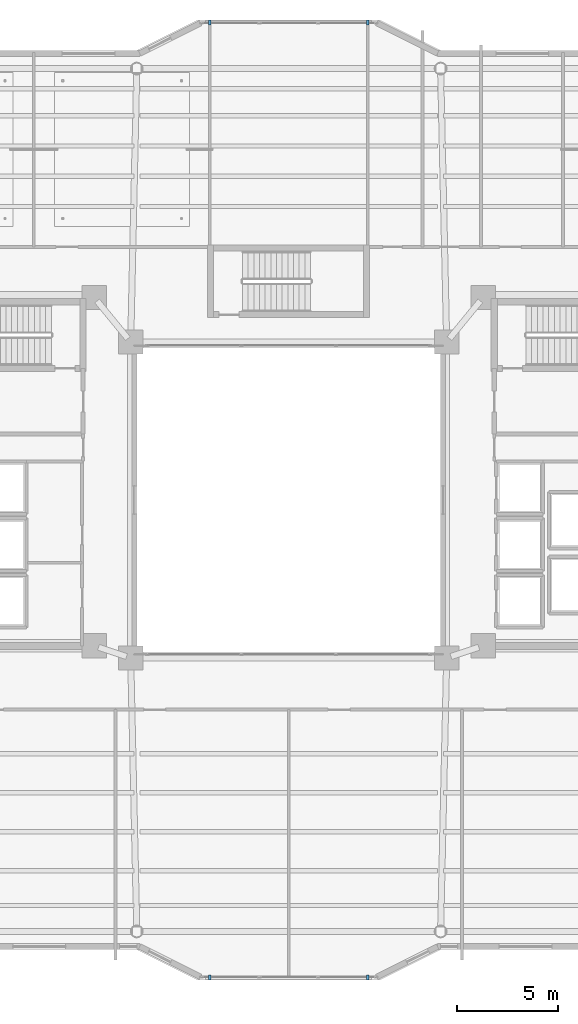
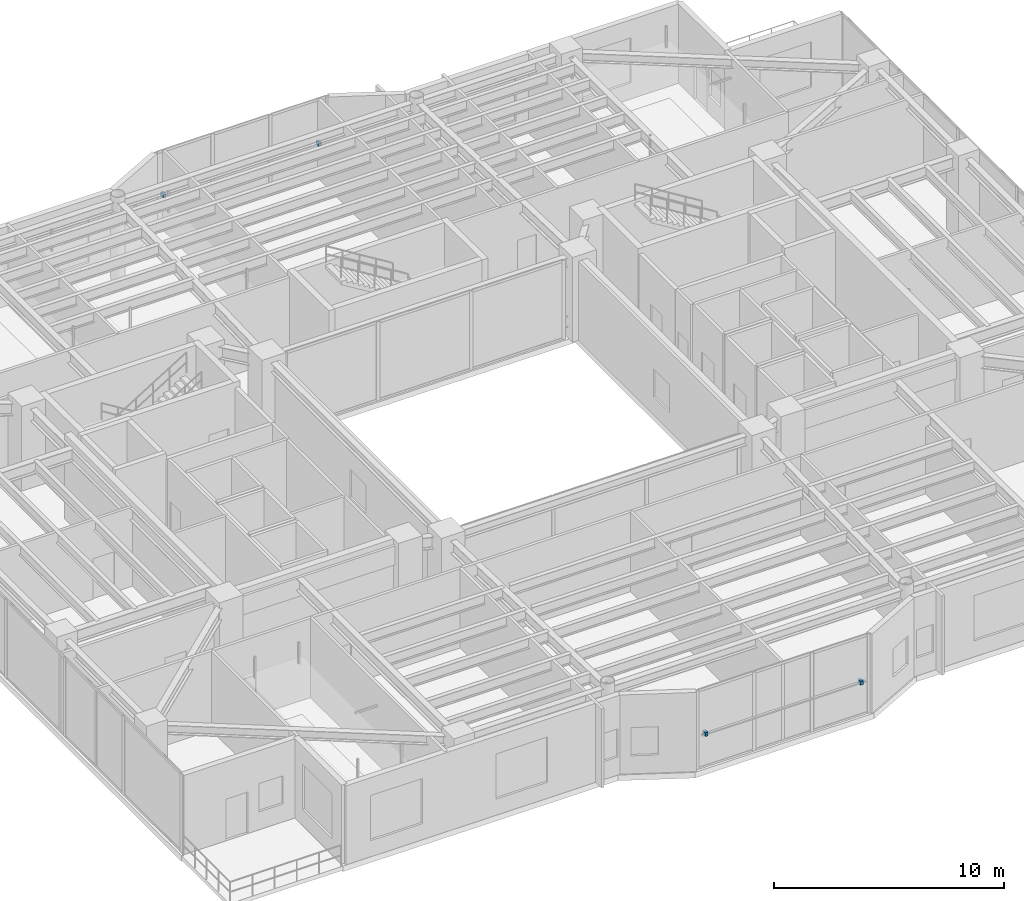
# One storey, part 34 of 38: 4 discrete accessories.
"""IFC4 building model written with IfcOpenShell, lengths in metres."""

import ifcopenshell
import ifcopenshell.guid

model = None  # the IFC model being written
_history = None  # IfcOwnerHistory: only IFC2X3 demands one
_inside = {}  # id of a spatial element -> (the spatial element, [elements in it])
_under = {}  # id of a project, library or spatial element -> (it, [spatial elements below it])
_declared = {}  # id of a project -> (the project, [libraries it declares])
_typed = {}  # id of a type object -> (the type object, [elements of that type])
_made_of = {}  # id of a material, layer set ... -> (it, [elements and type objects made of it])


def new_model(schema):
    """Start an empty IFC model of exactly this schema.

    Asked for "IFC4X3", IfcOpenShell would pick the latest addendum, in which some entities
    have other attributes; the version numbers below select the first issue.
    IFC2X3 requires an IfcOwnerHistory on every rooted entity: one is made here for all.
    """
    global model, _history
    if schema == "IFC4X3":
        model = ifcopenshell.file(schema_version=(4, 3, 0, 0))
    else:
        model = ifcopenshell.file(schema=schema)
    _inside.clear()
    _under.clear()
    _declared.clear()
    _typed.clear()
    _made_of.clear()
    _history = None
    if model.schema == "IFC2X3":
        org = make("IfcOrganization", Name="unknown")
        user = make(
            "IfcPersonAndOrganization",
            ThePerson=make("IfcPerson", FamilyName="unknown"),
            TheOrganization=org,
        )
        app = make(
            "IfcApplication",
            ApplicationDeveloper=org,
            Version="unknown",
            ApplicationFullName="unknown",
            ApplicationIdentifier="unknown",
        )
        _history = make(
            "IfcOwnerHistory",
            OwningUser=user,
            OwningApplication=app,
            ChangeAction="ADDED",
            CreationDate=0,
        )
    return model


def make(cls, **values):
    """One entity of the class cls with the attributes given. An attribute that is None is left unset."""
    return model.create_entity(
        cls, **{name: value for name, value in values.items() if value is not None}
    )


def rooted(cls, **values):
    """An entity with a GlobalId (a new one), such as an element, a storey or a relation."""
    return make(cls, GlobalId=ifcopenshell.guid.new(), OwnerHistory=_history, **values)


def si_unit(unit_type, name, prefix=None):
    """IfcSIUnit, for example si_unit("LENGTHUNIT", "METRE", prefix="MILLI")."""
    return make("IfcSIUnit", UnitType=unit_type, Prefix=prefix, Name=name)


def assignment(units):
    """IfcUnitAssignment: the units of a project."""
    return None if units is None else make("IfcUnitAssignment", Units=units)


def point(xyz):
    """IfcCartesianPoint."""
    return None if xyz is None else make("IfcCartesianPoint", Coordinates=xyz)


def direction(xyz):
    """IfcDirection."""
    return None if xyz is None else make("IfcDirection", DirectionRatios=xyz)


def frame(location, z_axis=None, x_axis=None):
    """IfcAxis2Placement3D, a coordinate frame: its origin and axes. An axis left out is left unset."""
    return make(
        "IfcAxis2Placement3D",
        Location=point(location),
        Axis=direction(z_axis),
        RefDirection=direction(x_axis),
    )


def frame_2d(location, x_axis=None):
    """IfcAxis2Placement2D, a coordinate frame in the plane: its origin and x axis."""
    return make(
        "IfcAxis2Placement2D", Location=point(location), RefDirection=direction(x_axis)
    )


def origin():
    """The frame at (0, 0, 0) with its axes left unset."""
    return frame((0.0, 0.0, 0.0))


def origin_2d():
    """The frame at (0, 0) in the plane with its x axis left unset."""
    return frame_2d((0.0, 0.0))


def place(relative_to, where):
    """IfcLocalPlacement: puts the frame where relative to a parent placement (None: the world)."""
    return make(
        "IfcLocalPlacement", PlacementRelTo=relative_to, RelativePlacement=where
    )


def context(
    kind, dimensions, precision=None, world=None, true_north=None, identifier=None
):
    """IfcGeometricRepresentationContext, for example the 3D "Model" context."""
    return make(
        "IfcGeometricRepresentationContext",
        ContextIdentifier=identifier,
        ContextType=kind,
        CoordinateSpaceDimension=dimensions,
        Precision=precision,
        WorldCoordinateSystem=world,
        TrueNorth=true_north,
    )


def subcontext(parent, identifier, kind, view, scale=None):
    """IfcGeometricRepresentationSubContext, for example "Body" below "Model"."""
    return make(
        "IfcGeometricRepresentationSubContext",
        ContextIdentifier=identifier,
        ContextType=kind,
        ParentContext=parent,
        TargetScale=scale,
        TargetView=view,
    )


def project(units=None, contexts=None):
    """IfcProject with its units and contexts."""
    return rooted(
        "IfcProject",
        Name="project",
        RepresentationContexts=contexts,
        UnitsInContext=assignment(units),
    )


def spatial(cls, under=None, at=None, **own):
    """A site, building, storey or space (cls), placed at a placement, below another one or the project."""
    s = rooted(cls, ObjectPlacement=at, **own)
    if under is not None:
        _under.setdefault(under.id(), (under, []))[1].append(s)
    return s


def profile(cls, at=None, kind="AREA", **sizes):
    """A parametric profile (cls). Its sizes go by their IFC names, for example OverallWidth=200.0."""
    return make(cls, ProfileType=kind, Position=at, **sizes)


def rectangle(**sizes):
    """IfcRectangleProfileDef."""
    return profile("IfcRectangleProfileDef", **sizes)


def extrude(swept, where, along, depth):
    """IfcExtrudedAreaSolid: the profile swept, set in the frame where, extruded along a direction by depth."""
    return make(
        "IfcExtrudedAreaSolid",
        SweptArea=swept,
        Position=where,
        ExtrudedDirection=direction(along),
        Depth=depth,
    )


def shape(context_of_items, identifier, shape_type, items):
    """IfcShapeRepresentation: the items that make up one representation, for example the "Body"."""
    return make(
        "IfcShapeRepresentation",
        ContextOfItems=context_of_items,
        RepresentationIdentifier=identifier,
        RepresentationType=shape_type,
        Items=items,
    )


def material(Name=None, Category=None):
    """IfcMaterial."""
    return make("IfcMaterial", Name=Name, Category=Category)


def made_of(thing, what):
    """Note that an element or type object is made of a material, layer set ...; save() writes the relation."""
    if what is not None:
        _made_of.setdefault(what.id(), (what, []))[1].append(thing)
    return thing


def type_object(cls, material=None, **own):
    """A type object (cls), such as IfcWallType, which elements share."""
    return made_of(rooted(cls, **own), material)


def element(
    cls,
    number,
    at=None,
    inside=None,
    cuts=None,
    type_object=None,
    material=None,
    context=None,
    identifier="Body",
    shape_type=None,
    held_by="IfcProductDefinitionShape",
    body=None,
    shapes=None,
    **own,
):
    """One element of the class cls, such as IfcWall. Its Tag is "e" and its number.

    at: its placement. inside: the storey or other place that contains it. cuts: it is an
    opening in that element (IfcRelVoidsElement). A single representation is given by context,
    identifier, shape_type and body (its items); several are given by shapes. held_by: the class
    of the entity that holds the representations. save() writes the other relations.
    """
    e = rooted(cls, Tag="e%d" % number, ObjectPlacement=at, **own)
    if body is not None:
        shapes = [shape(context, identifier, shape_type, body)]
    if shapes is not None:
        e.Representation = make(held_by, Representations=shapes)
    if inside is not None:
        _inside.setdefault(inside.id(), (inside, []))[1].append(e)
    if cuts is not None:
        rooted(
            "IfcRelVoidsElement", RelatingBuildingElement=cuts, RelatedOpeningElement=e
        )
    if type_object is not None:
        _typed.setdefault(type_object.id(), (type_object, []))[1].append(e)
    return made_of(e, material)


def aggregate(whole, parts):
    """IfcRelAggregates: a whole, such as a stair, and the parts it consists of."""
    return rooted("IfcRelAggregates", RelatingObject=whole, RelatedObjects=parts)


def save(model, path):
    """Write the relations noted so far, then the file.

    IfcRelAggregates (storeys below a building ...), IfcRelContainedInSpatialStructure (elements
    in a storey), IfcRelDefinesByType, IfcRelAssociatesMaterial and IfcRelDeclares: one each for
    every whole, place, type object, material and project.
    """
    for whole, parts in _under.values():
        aggregate(whole, parts)
    for where, things in _inside.values():
        rooted(
            "IfcRelContainedInSpatialStructure",
            RelatedElements=things,
            RelatingStructure=where,
        )
    for kind, things in _typed.values():
        rooted("IfcRelDefinesByType", RelatedObjects=things, RelatingType=kind)
    for what, things in _made_of.values():
        rooted("IfcRelAssociatesMaterial", RelatedObjects=things, RelatingMaterial=what)
    for by, libraries in _declared.values():
        rooted("IfcRelDeclares", RelatingContext=by, RelatedDefinitions=libraries)
    model.write(path)


model = new_model("IFC4")

# Units and contexts
model_context = context("Model", 3, precision=1e-05, world=origin(), true_north=direction((0.0, 1.0)))
body_context = subcontext(model_context, "Body", "Model", "MODEL_VIEW")
ifc_project = project(units=[si_unit("LENGTHUNIT", "METRE"), si_unit("AREAUNIT", "SQUARE_METRE"), si_unit("VOLUMEUNIT", "CUBIC_METRE"), si_unit("PLANEANGLEUNIT", "RADIAN"), si_unit("MASSUNIT", "GRAM", prefix="KILO")], contexts=[model_context])

# Site, building, storey
site_placement = place(None, origin())
site = spatial("IfcSite", under=ifc_project, at=site_placement, CompositionType="ELEMENT")
building_placement = place(site_placement, origin())
building = spatial("IfcBuilding", under=site, at=building_placement, Name="Tarnavaz Court Tower", CompositionType="ELEMENT")
storey_placement = place(building_placement, frame((0.0, 0.0, 123.0)))
storey = spatial("IfcBuildingStorey", under=building, at=storey_placement, Name="L33", CompositionType="ELEMENT", Elevation=123.0)

# Discrete accessories
ifc_material = material(Name="Anodised Aluminium 6063-T6", Category="aluminium")
discrete_accessory_type = type_object("IfcDiscreteAccessoryType", Name="DA-BRKT-ALU", PredefinedType="BRACKET", material=ifc_material)
for number, where, z_axis, x_axis, name in (
    (1, (-3.89990234375, 23.570068359375, 1.7001953125), (0.0, 0.0, 1.0), (1.0, 0.0, 0.0), "L33 Baguette Outrigger Bracket PBG7-1"),
    (2, (3.89990234375, 23.570068359375, 1.7001953125), (0.0, 0.0, 1.0), (1.0, 0.0, 0.0), "L33 Baguette Outrigger Bracket PBG7-2"),
    (3, (3.89990234375, -23.570068359375, 1.7001953125), (0.0, 0.0, 1.0), (-1.0, 0.0, 0.0), "L33 Baguette Outrigger Bracket PBG17-1"),
    (4, (-3.89990234375, -23.570068359375, 1.7001953125), (0.0, 0.0, 1.0), (-1.0, 0.0, 0.0), "L33 Baguette Outrigger Bracket PBG17-2"),
):
    element("IfcDiscreteAccessory", number, at=place(storey_placement, frame(where, z_axis=z_axis, x_axis=x_axis)), inside=storey, type_object=discrete_accessory_type, Name=name, PredefinedType="BRACKET", context=body_context, shape_type="SweptSolid", body=[
        extrude(rectangle(XDim=0.139892578125, YDim=0.239990234375, at=origin_2d()), origin(), (0.0, 0.0, 1.0), 0.199951171875),
    ])

save(model, "model.ifc")
